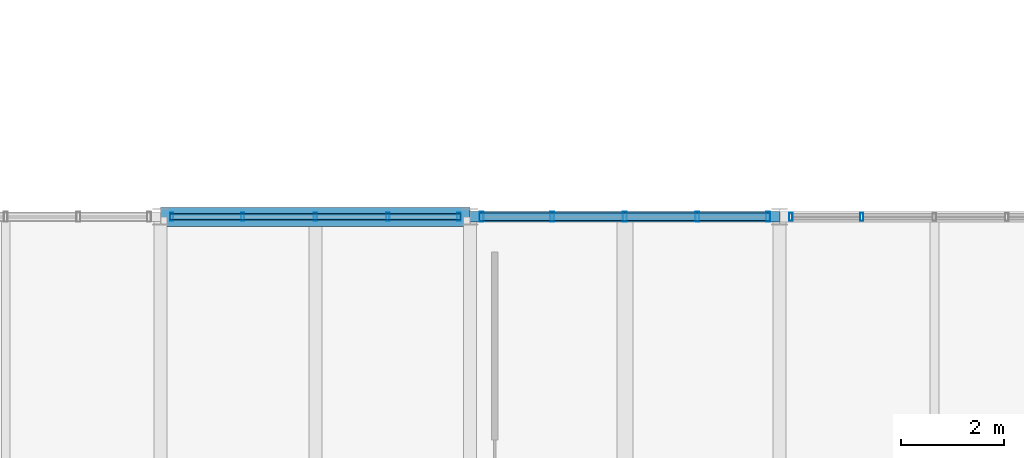
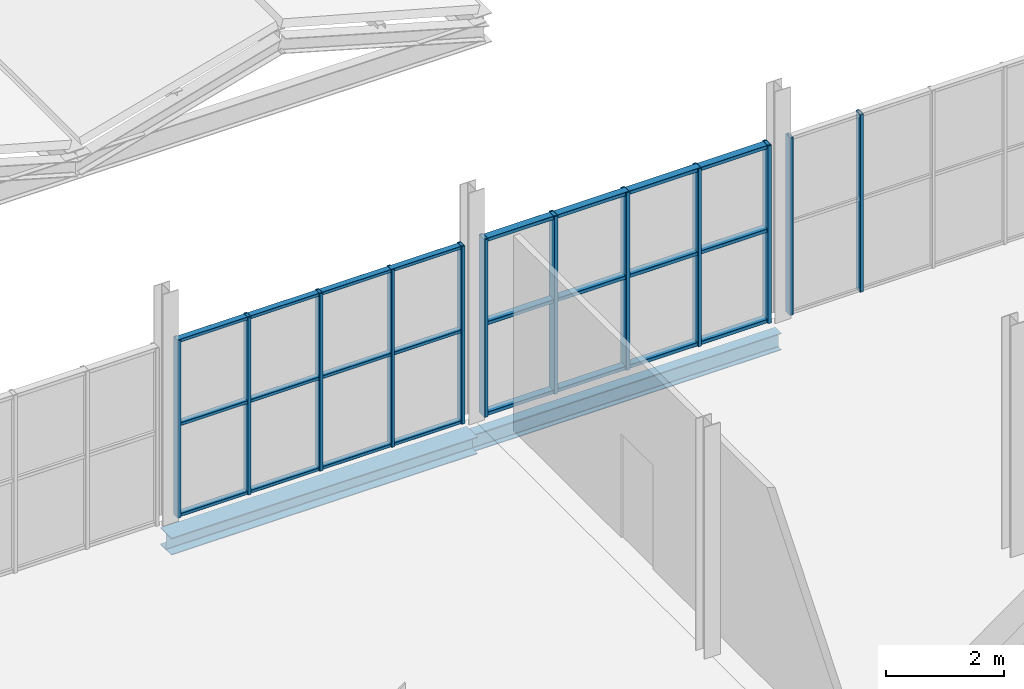
# One storey, part 76 of 114: 18 members, 2 beams, 3 elements without a shape of their own.
"""IFC4 building model written with IfcOpenShell, lengths in metres."""

from ifc_helpers import new_model, si_unit, direction, frame, origin, origin_2d, place, context, subcontext, project, spatial, hollow_rectangle, i_section, extrude, material, material_profile, profile_set, type_object, element, aggregate, save


model = new_model("IFC4")

# Units and contexts
model_context = context("Model", 3, precision=1e-05, world=origin(), true_north=direction((0.0, 1.0)))
body_context = subcontext(model_context, "Body", "Model", "MODEL_VIEW")
ifc_project = project(units=[si_unit("LENGTHUNIT", "METRE"), si_unit("AREAUNIT", "SQUARE_METRE"), si_unit("VOLUMEUNIT", "CUBIC_METRE"), si_unit("PLANEANGLEUNIT", "RADIAN"), si_unit("MASSUNIT", "GRAM", prefix="KILO")], contexts=[model_context])

# Site, building, storey
site_placement = place(None, origin())
site = spatial("IfcSite", under=ifc_project, at=site_placement, CompositionType="ELEMENT")
building_placement = place(site_placement, origin())
building = spatial("IfcBuilding", under=site, at=building_placement, Name="Verrall Gate Interchange", CompositionType="ELEMENT")
storey_placement = place(building_placement, frame((0.0, 0.0, 6.60009765625)))
storey = spatial("IfcBuildingStorey", under=building, at=storey_placement, Name="L02", CompositionType="ELEMENT", Elevation=6.60009765625)

# Beams
ifc_material_1 = material(Name="Structural Steel CSA G40.21 350W", Category="steel")
ifc_material_profile_1 = material_profile(ifc_material_1, i_section(OverallWidth=0.368896484375, OverallDepth=0.35595703125, WebThickness=0.01123046875, FlangeThickness=0.01806640625, FilletRadius=0.014892578125, at=origin_2d()), Name="W360x134")
ifc_profile_set_1 = profile_set([ifc_material_profile_1], Name="Structural Steel CSA G40.21 350W")
beam_type_1 = type_object("IfcBeamType", Name="B-13 Structural Beam W360x134", PredefinedType="BEAM", material=ifc_profile_set_1)
beam_1_placement = place(storey_placement, frame((144.0, 56.0, -0.4580078125), z_axis=(1.0, 0.0, 0.0), x_axis=(0.0, 1.0, 0.0)))
element("IfcBeam", 1, at=beam_1_placement, inside=storey, type_object=beam_type_1, Name="L02 Girder BM-L02-1606 (B-13)", PredefinedType="BEAM", context=body_context, shape_type="SweptSolid", body=[
    extrude(i_section(OverallWidth=0.368896484375, OverallDepth=0.35595703125, WebThickness=0.01123046875, FlangeThickness=0.01806640625, FilletRadius=0.014892578125, at=origin_2d()), origin(), (0.0, 0.0, 1.0), 6.0),
])
ifc_material_2 = material(Name="Structural Steel CSA G40.21 350W", Category="steel")
ifc_material_profile_2 = material_profile(ifc_material_2, i_section(OverallWidth=0.205078125, OverallDepth=0.35400390625, WebThickness=0.009521484375, FlangeThickness=0.016845703125, FilletRadius=0.012939453125, at=origin_2d()), Name="W360x79")
ifc_profile_set_2 = profile_set([ifc_material_profile_2], Name="Structural Steel CSA G40.21 350W")
beam_type_2 = type_object("IfcBeamType", Name="B-14 Structural Beam W360x79", PredefinedType="BEAM", material=ifc_profile_set_2)
beam_2_placement = place(storey_placement, frame((150.0, 56.0, -0.45703125), z_axis=(1.0, 0.0, 0.0), x_axis=(0.0, 1.0, 0.0)))
element("IfcBeam", 2, at=beam_2_placement, inside=storey, type_object=beam_type_2, Name="L02 Girder BM-L02-1607 (B-14)", PredefinedType="BEAM", context=body_context, shape_type="SweptSolid", body=[
    extrude(i_section(OverallWidth=0.205078125, OverallDepth=0.35400390625, WebThickness=0.009521484375, FlangeThickness=0.016845703125, FilletRadius=0.012939453125, at=origin_2d()), origin(), (0.0, 0.0, 1.0), 6.0),
])

# Curtain wall, members
ifc_material_3 = material(Name="Thermally Broken Anodized Aluminium Curtain Wall Framing", Category="aluminium")
curtain_wall_type = type_object("IfcCurtainWallType", Name="CW-28 Unitized Curtain Wall 5629x3680", PredefinedType="NOTDEFINED", material=ifc_material_3)
curtain_wall_1_placement = place(storey_placement, origin())
curtain_wall_1 = element("IfcCurtainWall", 3, at=curtain_wall_1_placement, inside=storey, type_object=curtain_wall_type, Name="L02 Unitized Curtain Wall CW-L02-096", PredefinedType="NOTDEFINED")
ifc_material_4 = material(Name="Thermally Broken Anodized Aluminium Curtain Wall Framing", Category="aluminium")
ifc_material_profile_3 = material_profile(ifc_material_4, hollow_rectangle(XDim=0.06494140625, YDim=0.159912109375, WallThickness=0.00390625, InnerFilletRadius=0.00390625, OuterFilletRadius=0.008056640625, at=origin_2d()), Name="CWM160x65x4")
ifc_profile_set_3 = profile_set([ifc_material_profile_3], Name="Thermally Broken Anodized Aluminium Curtain Wall Framing")
member_type_1 = type_object("IfcMemberType", Name="CM-01 Curtain Mullion CWM160x65x4", PredefinedType="MULLION", material=ifc_profile_set_3)
member_1_placement = place(storey_placement, frame((157.5927734375, 56.0, 0.0), z_axis=(0.0, 0.0, 1.0), x_axis=(-1.0, 0.0, 0.0)))
member_1 = element("IfcMember", 4, at=member_1_placement, type_object=member_type_1, Name="CW-L02-096 Mullion 4", PredefinedType="MULLION", context=body_context, shape_type="SweptSolid", body=[
    extrude(hollow_rectangle(XDim=0.06494140625, YDim=0.159912109375, WallThickness=0.00390625, InnerFilletRadius=0.00390625, OuterFilletRadius=0.008056640625, at=origin_2d()), origin(), (0.0, 0.0, 1.0), 3.679931640625),
])
member_2_placement = place(storey_placement, frame((156.218017578125, 56.0, 0.0), z_axis=(0.0, 0.0, 1.0), x_axis=(-1.0, 0.0, 0.0)))
member_2 = element("IfcMember", 5, at=member_2_placement, type_object=member_type_1, Name="CW-L02-096 Mullion 5", PredefinedType="MULLION", context=body_context, shape_type="SweptSolid", body=[
    extrude(hollow_rectangle(XDim=0.06494140625, YDim=0.159912109375, WallThickness=0.00390625, InnerFilletRadius=0.00390625, OuterFilletRadius=0.008056640625, at=origin_2d()), origin(), (0.0, 0.0, 1.0), 3.679931640625),
])
aggregate(curtain_wall_1, [member_1, member_2])

curtain_wall_2_placement = place(storey_placement, origin())
curtain_wall_2 = element("IfcCurtainWall", 6, at=curtain_wall_2_placement, inside=storey, type_object=curtain_wall_type, Name="L02 Unitized Curtain Wall CW-L02-098", PredefinedType="NOTDEFINED")
member_3_placement = place(storey_placement, frame((149.781982421875, 56.0, 0.0), z_axis=(0.0, 0.0, 1.0), x_axis=(-1.0, 0.0, 0.0)))
member_3 = element("IfcMember", 7, at=member_3_placement, type_object=member_type_1, Name="CW-L02-098 Mullion 1", PredefinedType="MULLION", context=body_context, shape_type="SweptSolid", body=[
    extrude(hollow_rectangle(XDim=0.06494140625, YDim=0.159912109375, WallThickness=0.00390625, InnerFilletRadius=0.00390625, OuterFilletRadius=0.008056640625, at=origin_2d()), origin(), (0.0, 0.0, 1.0), 3.679931640625),
])
member_4_placement = place(storey_placement, frame((148.4072265625, 56.0, 0.0), z_axis=(0.0, 0.0, 1.0), x_axis=(-1.0, 0.0, 0.0)))
member_4 = element("IfcMember", 8, at=member_4_placement, type_object=member_type_1, Name="CW-L02-098 Mullion 2", PredefinedType="MULLION", context=body_context, shape_type="SweptSolid", body=[
    extrude(hollow_rectangle(XDim=0.06494140625, YDim=0.159912109375, WallThickness=0.00390625, InnerFilletRadius=0.00390625, OuterFilletRadius=0.008056640625, at=origin_2d()), origin(), (0.0, 0.0, 1.0), 3.679931640625),
])
member_5_placement = place(storey_placement, frame((147.0, 56.0, 0.0), z_axis=(0.0, 0.0, 1.0), x_axis=(-1.0, 0.0, 0.0)))
member_5 = element("IfcMember", 9, at=member_5_placement, type_object=member_type_1, Name="CW-L02-098 Mullion 3", PredefinedType="MULLION", context=body_context, shape_type="SweptSolid", body=[
    extrude(hollow_rectangle(XDim=0.06494140625, YDim=0.159912109375, WallThickness=0.00390625, InnerFilletRadius=0.00390625, OuterFilletRadius=0.008056640625, at=origin_2d()), origin(), (0.0, 0.0, 1.0), 3.679931640625),
])
member_6_placement = place(storey_placement, frame((145.5927734375, 56.0, 0.0), z_axis=(0.0, 0.0, 1.0), x_axis=(-1.0, 0.0, 0.0)))
member_6 = element("IfcMember", 10, at=member_6_placement, type_object=member_type_1, Name="CW-L02-098 Mullion 4", PredefinedType="MULLION", context=body_context, shape_type="SweptSolid", body=[
    extrude(hollow_rectangle(XDim=0.06494140625, YDim=0.159912109375, WallThickness=0.00390625, InnerFilletRadius=0.00390625, OuterFilletRadius=0.008056640625, at=origin_2d()), origin(), (0.0, 0.0, 1.0), 3.679931640625),
])
member_7_placement = place(storey_placement, frame((144.218017578125, 56.0, 0.0), z_axis=(0.0, 0.0, 1.0), x_axis=(-1.0, 0.0, 0.0)))
member_7 = element("IfcMember", 11, at=member_7_placement, type_object=member_type_1, Name="CW-L02-098 Mullion 5", PredefinedType="MULLION", context=body_context, shape_type="SweptSolid", body=[
    extrude(hollow_rectangle(XDim=0.06494140625, YDim=0.159912109375, WallThickness=0.00390625, InnerFilletRadius=0.00390625, OuterFilletRadius=0.008056640625, at=origin_2d()), origin(), (0.0, 0.0, 1.0), 3.679931640625),
])

curtain_wall_3_placement = place(storey_placement, origin())
curtain_wall_3 = element("IfcCurtainWall", 12, at=curtain_wall_3_placement, inside=storey, type_object=curtain_wall_type, Name="L02 Unitized Curtain Wall CW-L02-097", PredefinedType="NOTDEFINED")
ifc_material_5 = material(Name="Thermally Broken Anodized Aluminium Curtain Wall Framing", Category="aluminium")
ifc_material_profile_4 = material_profile(ifc_material_5, hollow_rectangle(XDim=0.074951171875, YDim=0.199951171875, WallThickness=0.0048828125, InnerFilletRadius=0.0048828125, OuterFilletRadius=0.010009765625, at=origin_2d()), Name="CWM200x75x5")
ifc_profile_set_4 = profile_set([ifc_material_profile_4], Name="Thermally Broken Anodized Aluminium Curtain Wall Framing")
member_type_2 = type_object("IfcMemberType", Name="CM-02 Curtain Mullion CWM200x75x5", PredefinedType="MULLION", material=ifc_profile_set_4)
member_8_placement = place(storey_placement, frame((155.777099609375, 56.0, 0.0), z_axis=(0.0, 0.0, 1.0), x_axis=(-1.0, 0.0, 0.0)))
member_8 = element("IfcMember", 13, at=member_8_placement, type_object=member_type_2, Name="CW-L02-097 Mullion 1", PredefinedType="MULLION", context=body_context, shape_type="SweptSolid", body=[
    extrude(hollow_rectangle(XDim=0.074951171875, YDim=0.199951171875, WallThickness=0.0048828125, InnerFilletRadius=0.0048828125, OuterFilletRadius=0.010009765625, at=origin_2d()), origin(), (0.0, 0.0, 1.0), 3.679931640625),
])
member_9_placement = place(storey_placement, frame((154.4072265625, 56.0, 0.0), z_axis=(0.0, 0.0, 1.0), x_axis=(-1.0, 0.0, 0.0)))
member_9 = element("IfcMember", 14, at=member_9_placement, type_object=member_type_2, Name="CW-L02-097 Mullion 2", PredefinedType="MULLION", context=body_context, shape_type="SweptSolid", body=[
    extrude(hollow_rectangle(XDim=0.074951171875, YDim=0.199951171875, WallThickness=0.0048828125, InnerFilletRadius=0.0048828125, OuterFilletRadius=0.010009765625, at=origin_2d()), origin(), (0.0, 0.0, 1.0), 3.679931640625),
])
member_10_placement = place(storey_placement, frame((153.0, 56.0, 0.0), z_axis=(0.0, 0.0, 1.0), x_axis=(-1.0, 0.0, 0.0)))
member_10 = element("IfcMember", 15, at=member_10_placement, type_object=member_type_2, Name="CW-L02-097 Mullion 3", PredefinedType="MULLION", context=body_context, shape_type="SweptSolid", body=[
    extrude(hollow_rectangle(XDim=0.074951171875, YDim=0.199951171875, WallThickness=0.0048828125, InnerFilletRadius=0.0048828125, OuterFilletRadius=0.010009765625, at=origin_2d()), origin(), (0.0, 0.0, 1.0), 3.679931640625),
])
member_11_placement = place(storey_placement, frame((151.5927734375, 56.0, 0.0), z_axis=(0.0, 0.0, 1.0), x_axis=(-1.0, 0.0, 0.0)))
member_11 = element("IfcMember", 16, at=member_11_placement, type_object=member_type_2, Name="CW-L02-097 Mullion 4", PredefinedType="MULLION", context=body_context, shape_type="SweptSolid", body=[
    extrude(hollow_rectangle(XDim=0.074951171875, YDim=0.199951171875, WallThickness=0.0048828125, InnerFilletRadius=0.0048828125, OuterFilletRadius=0.010009765625, at=origin_2d()), origin(), (0.0, 0.0, 1.0), 3.679931640625),
])
member_12_placement = place(storey_placement, frame((150.222900390625, 56.0, 0.0), z_axis=(0.0, 0.0, 1.0), x_axis=(-1.0, 0.0, 0.0)))
member_12 = element("IfcMember", 17, at=member_12_placement, type_object=member_type_2, Name="CW-L02-097 Mullion 5", PredefinedType="MULLION", context=body_context, shape_type="SweptSolid", body=[
    extrude(hollow_rectangle(XDim=0.074951171875, YDim=0.199951171875, WallThickness=0.0048828125, InnerFilletRadius=0.0048828125, OuterFilletRadius=0.010009765625, at=origin_2d()), origin(), (0.0, 0.0, 1.0), 3.679931640625),
])

# Member
ifc_material_6 = material(Name="Thermally Broken Anodized Aluminium Curtain Wall Framing", Category="aluminium")
ifc_material_profile_5 = material_profile(ifc_material_6, hollow_rectangle(XDim=0.1201171875, YDim=0.06494140625, WallThickness=0.00390625, InnerFilletRadius=0.00390625, OuterFilletRadius=0.008056640625, at=origin_2d()), Name="CWT120x65x4")
ifc_profile_set_5 = profile_set([ifc_material_profile_5], Name="Thermally Broken Anodized Aluminium Curtain Wall Framing")
member_type_3 = type_object("IfcMemberType", Name="CT-01 Curtain Transom CWT120x65x4", PredefinedType="USERDEFINED", material=ifc_profile_set_5)
member_13_placement = place(storey_placement, frame((149.814453125, 56.0, 0.032470703125), z_axis=(-1.0, 0.0, 0.0), x_axis=(0.0, -1.0, 0.0)))
member_13 = element("IfcMember", 18, at=member_13_placement, type_object=member_type_3, Name="CW-L02-098 Transom 1", ObjectType="TRANSOM", PredefinedType="USERDEFINED", context=body_context, shape_type="SweptSolid", body=[
    extrude(hollow_rectangle(XDim=0.1201171875, YDim=0.06494140625, WallThickness=0.00390625, InnerFilletRadius=0.00390625, OuterFilletRadius=0.008056640625, at=origin_2d()), origin(), (0.0, 0.0, 1.0), 5.62890625),
])

member_14_placement = place(storey_placement, frame((149.814453125, 56.0, 1.91357421875), z_axis=(-1.0, 0.0, 0.0), x_axis=(0.0, -1.0, 0.0)))
member_14 = element("IfcMember", 19, at=member_14_placement, type_object=member_type_3, Name="CW-L02-098 Transom 2", ObjectType="TRANSOM", PredefinedType="USERDEFINED", context=body_context, shape_type="SweptSolid", body=[
    extrude(hollow_rectangle(XDim=0.1201171875, YDim=0.06494140625, WallThickness=0.00390625, InnerFilletRadius=0.00390625, OuterFilletRadius=0.008056640625, at=origin_2d()), origin(), (0.0, 0.0, 1.0), 5.62890625),
])

member_15_placement = place(storey_placement, frame((149.814453125, 56.0, 3.6474609375), z_axis=(-1.0, 0.0, 0.0), x_axis=(0.0, -1.0, 0.0)))
member_15 = element("IfcMember", 20, at=member_15_placement, type_object=member_type_3, Name="CW-L02-098 Transom 3", ObjectType="TRANSOM", PredefinedType="USERDEFINED", context=body_context, shape_type="SweptSolid", body=[
    extrude(hollow_rectangle(XDim=0.1201171875, YDim=0.06494140625, WallThickness=0.00390625, InnerFilletRadius=0.00390625, OuterFilletRadius=0.008056640625, at=origin_2d()), origin(), (0.0, 0.0, 1.0), 5.62890625),
])

aggregate(curtain_wall_2, [member_3, member_4, member_5, member_6, member_7, member_13, member_14, member_15])

ifc_material_7 = material(Name="Thermally Broken Anodized Aluminium Curtain Wall Framing", Category="aluminium")
ifc_material_profile_6 = material_profile(ifc_material_7, hollow_rectangle(XDim=0.14990234375, YDim=0.074951171875, WallThickness=0.00439453125, InnerFilletRadius=0.00439453125, OuterFilletRadius=0.009033203125, at=origin_2d()), Name="CWT150x75x4.5")
ifc_profile_set_6 = profile_set([ifc_material_profile_6], Name="Thermally Broken Anodized Aluminium Curtain Wall Framing")
member_type_4 = type_object("IfcMemberType", Name="CT-02 Curtain Transom CWT150x75x4.5", PredefinedType="USERDEFINED", material=ifc_profile_set_6)
member_16_placement = place(storey_placement, frame((155.814453125, 56.0, 0.037353515625), z_axis=(-1.0, 0.0, 0.0), x_axis=(0.0, -1.0, 0.0)))
member_16 = element("IfcMember", 21, at=member_16_placement, type_object=member_type_4, Name="CW-L02-097 Transom 1", ObjectType="TRANSOM", PredefinedType="USERDEFINED", context=body_context, shape_type="SweptSolid", body=[
    extrude(hollow_rectangle(XDim=0.14990234375, YDim=0.074951171875, WallThickness=0.00439453125, InnerFilletRadius=0.00439453125, OuterFilletRadius=0.009033203125, at=origin_2d()), origin(), (0.0, 0.0, 1.0), 5.62890625),
])

member_17_placement = place(storey_placement, frame((155.814453125, 56.0, 1.91357421875), z_axis=(-1.0, 0.0, 0.0), x_axis=(0.0, -1.0, 0.0)))
member_17 = element("IfcMember", 22, at=member_17_placement, type_object=member_type_4, Name="CW-L02-097 Transom 2", ObjectType="TRANSOM", PredefinedType="USERDEFINED", context=body_context, shape_type="SweptSolid", body=[
    extrude(hollow_rectangle(XDim=0.14990234375, YDim=0.074951171875, WallThickness=0.00439453125, InnerFilletRadius=0.00439453125, OuterFilletRadius=0.009033203125, at=origin_2d()), origin(), (0.0, 0.0, 1.0), 5.62890625),
])

member_18_placement = place(storey_placement, frame((155.814453125, 56.0, 3.642333984375), z_axis=(-1.0, 0.0, 0.0), x_axis=(0.0, -1.0, 0.0)))
member_18 = element("IfcMember", 23, at=member_18_placement, type_object=member_type_4, Name="CW-L02-097 Transom 3", ObjectType="TRANSOM", PredefinedType="USERDEFINED", context=body_context, shape_type="SweptSolid", body=[
    extrude(hollow_rectangle(XDim=0.14990234375, YDim=0.074951171875, WallThickness=0.00439453125, InnerFilletRadius=0.00439453125, OuterFilletRadius=0.009033203125, at=origin_2d()), origin(), (0.0, 0.0, 1.0), 5.62890625),
])

aggregate(curtain_wall_3, [member_8, member_9, member_10, member_11, member_12, member_16, member_17, member_18])

save(model, "model.ifc")
